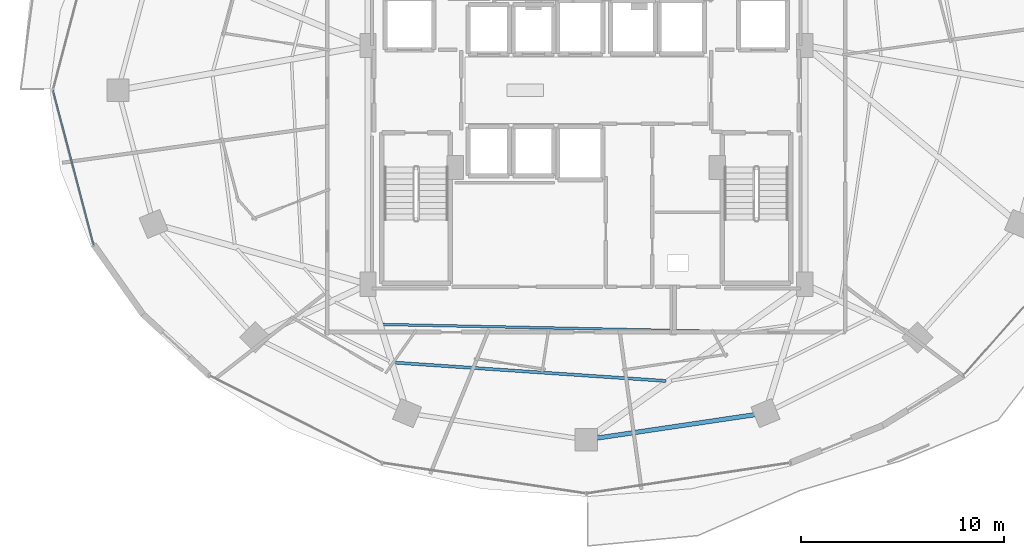
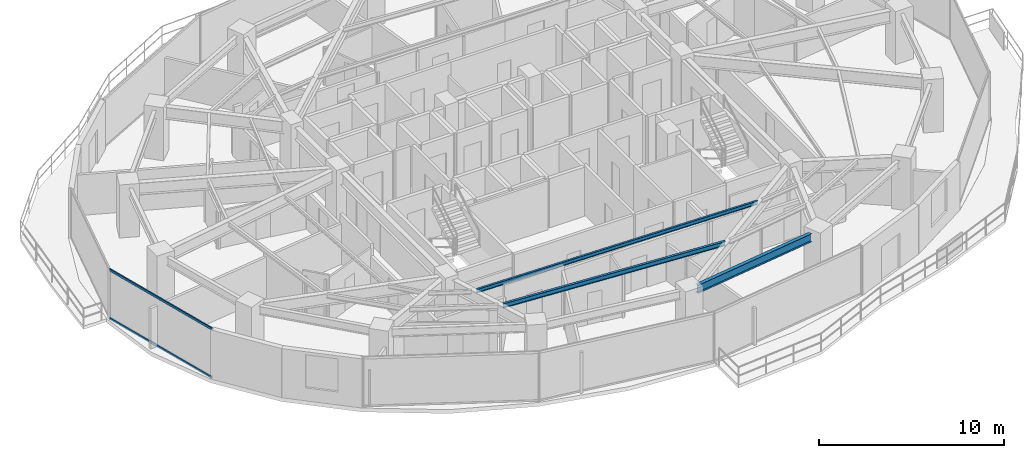
# One storey, part 5 of 30: 3 beams, 2 members, 1 element without a shape of its own.
"""IFC4 building model written with IfcOpenShell, lengths in metres."""

import ifcopenshell
import ifcopenshell.guid

model = None  # the IFC model being written
_history = None  # IfcOwnerHistory: only IFC2X3 demands one
_inside = {}  # id of a spatial element -> (the spatial element, [elements in it])
_under = {}  # id of a project, library or spatial element -> (it, [spatial elements below it])
_declared = {}  # id of a project -> (the project, [libraries it declares])
_typed = {}  # id of a type object -> (the type object, [elements of that type])
_made_of = {}  # id of a material, layer set ... -> (it, [elements and type objects made of it])


def new_model(schema):
    """Start an empty IFC model of exactly this schema.

    Asked for "IFC4X3", IfcOpenShell would pick the latest addendum, in which some entities
    have other attributes; the version numbers below select the first issue.
    IFC2X3 requires an IfcOwnerHistory on every rooted entity: one is made here for all.
    """
    global model, _history
    if schema == "IFC4X3":
        model = ifcopenshell.file(schema_version=(4, 3, 0, 0))
    else:
        model = ifcopenshell.file(schema=schema)
    _inside.clear()
    _under.clear()
    _declared.clear()
    _typed.clear()
    _made_of.clear()
    _history = None
    if model.schema == "IFC2X3":
        org = make("IfcOrganization", Name="unknown")
        user = make(
            "IfcPersonAndOrganization",
            ThePerson=make("IfcPerson", FamilyName="unknown"),
            TheOrganization=org,
        )
        app = make(
            "IfcApplication",
            ApplicationDeveloper=org,
            Version="unknown",
            ApplicationFullName="unknown",
            ApplicationIdentifier="unknown",
        )
        _history = make(
            "IfcOwnerHistory",
            OwningUser=user,
            OwningApplication=app,
            ChangeAction="ADDED",
            CreationDate=0,
        )
    return model


def make(cls, **values):
    """One entity of the class cls with the attributes given. An attribute that is None is left unset."""
    return model.create_entity(
        cls, **{name: value for name, value in values.items() if value is not None}
    )


def rooted(cls, **values):
    """An entity with a GlobalId (a new one), such as an element, a storey or a relation."""
    return make(cls, GlobalId=ifcopenshell.guid.new(), OwnerHistory=_history, **values)


def si_unit(unit_type, name, prefix=None):
    """IfcSIUnit, for example si_unit("LENGTHUNIT", "METRE", prefix="MILLI")."""
    return make("IfcSIUnit", UnitType=unit_type, Prefix=prefix, Name=name)


def assignment(units):
    """IfcUnitAssignment: the units of a project."""
    return None if units is None else make("IfcUnitAssignment", Units=units)


def point(xyz):
    """IfcCartesianPoint."""
    return None if xyz is None else make("IfcCartesianPoint", Coordinates=xyz)


def direction(xyz):
    """IfcDirection."""
    return None if xyz is None else make("IfcDirection", DirectionRatios=xyz)


def frame(location, z_axis=None, x_axis=None):
    """IfcAxis2Placement3D, a coordinate frame: its origin and axes. An axis left out is left unset."""
    return make(
        "IfcAxis2Placement3D",
        Location=point(location),
        Axis=direction(z_axis),
        RefDirection=direction(x_axis),
    )


def frame_2d(location, x_axis=None):
    """IfcAxis2Placement2D, a coordinate frame in the plane: its origin and x axis."""
    return make(
        "IfcAxis2Placement2D", Location=point(location), RefDirection=direction(x_axis)
    )


def origin():
    """The frame at (0, 0, 0) with its axes left unset."""
    return frame((0.0, 0.0, 0.0))


def origin_2d():
    """The frame at (0, 0) in the plane with its x axis left unset."""
    return frame_2d((0.0, 0.0))


def place(relative_to, where):
    """IfcLocalPlacement: puts the frame where relative to a parent placement (None: the world)."""
    return make(
        "IfcLocalPlacement", PlacementRelTo=relative_to, RelativePlacement=where
    )


def context(
    kind, dimensions, precision=None, world=None, true_north=None, identifier=None
):
    """IfcGeometricRepresentationContext, for example the 3D "Model" context."""
    return make(
        "IfcGeometricRepresentationContext",
        ContextIdentifier=identifier,
        ContextType=kind,
        CoordinateSpaceDimension=dimensions,
        Precision=precision,
        WorldCoordinateSystem=world,
        TrueNorth=true_north,
    )


def subcontext(parent, identifier, kind, view, scale=None):
    """IfcGeometricRepresentationSubContext, for example "Body" below "Model"."""
    return make(
        "IfcGeometricRepresentationSubContext",
        ContextIdentifier=identifier,
        ContextType=kind,
        ParentContext=parent,
        TargetScale=scale,
        TargetView=view,
    )


def project(units=None, contexts=None):
    """IfcProject with its units and contexts."""
    return rooted(
        "IfcProject",
        Name="project",
        RepresentationContexts=contexts,
        UnitsInContext=assignment(units),
    )


def spatial(cls, under=None, at=None, **own):
    """A site, building, storey or space (cls), placed at a placement, below another one or the project."""
    s = rooted(cls, ObjectPlacement=at, **own)
    if under is not None:
        _under.setdefault(under.id(), (under, []))[1].append(s)
    return s


def profile(cls, at=None, kind="AREA", **sizes):
    """A parametric profile (cls). Its sizes go by their IFC names, for example OverallWidth=200.0."""
    return make(cls, ProfileType=kind, Position=at, **sizes)


def hollow_rectangle(**sizes):
    """IfcRectangleHollowProfileDef."""
    return profile("IfcRectangleHollowProfileDef", **sizes)


def i_section(**sizes):
    """IfcIShapeProfileDef."""
    return profile("IfcIShapeProfileDef", **sizes)


def extrude(swept, where, along, depth):
    """IfcExtrudedAreaSolid: the profile swept, set in the frame where, extruded along a direction by depth."""
    return make(
        "IfcExtrudedAreaSolid",
        SweptArea=swept,
        Position=where,
        ExtrudedDirection=direction(along),
        Depth=depth,
    )


def shape(context_of_items, identifier, shape_type, items):
    """IfcShapeRepresentation: the items that make up one representation, for example the "Body"."""
    return make(
        "IfcShapeRepresentation",
        ContextOfItems=context_of_items,
        RepresentationIdentifier=identifier,
        RepresentationType=shape_type,
        Items=items,
    )


def material(Name=None, Category=None):
    """IfcMaterial."""
    return make("IfcMaterial", Name=Name, Category=Category)


def material_profile(
    of_material, cross_section, Name=None, Category=None, Priority=None
):
    """IfcMaterialProfile: a cross section and its material."""
    return make(
        "IfcMaterialProfile",
        Name=Name,
        Material=of_material,
        Profile=cross_section,
        Priority=Priority,
        Category=Category,
    )


def profile_set(profiles, Name=None, composite=None):
    """IfcMaterialProfileSet."""
    return make(
        "IfcMaterialProfileSet",
        Name=Name,
        MaterialProfiles=profiles,
        CompositeProfile=composite,
    )


def made_of(thing, what):
    """Note that an element or type object is made of a material, layer set ...; save() writes the relation."""
    if what is not None:
        _made_of.setdefault(what.id(), (what, []))[1].append(thing)
    return thing


def type_object(cls, material=None, **own):
    """A type object (cls), such as IfcWallType, which elements share."""
    return made_of(rooted(cls, **own), material)


def element(
    cls,
    number,
    at=None,
    inside=None,
    cuts=None,
    type_object=None,
    material=None,
    context=None,
    identifier="Body",
    shape_type=None,
    held_by="IfcProductDefinitionShape",
    body=None,
    shapes=None,
    **own,
):
    """One element of the class cls, such as IfcWall. Its Tag is "e" and its number.

    at: its placement. inside: the storey or other place that contains it. cuts: it is an
    opening in that element (IfcRelVoidsElement). A single representation is given by context,
    identifier, shape_type and body (its items); several are given by shapes. held_by: the class
    of the entity that holds the representations. save() writes the other relations.
    """
    e = rooted(cls, Tag="e%d" % number, ObjectPlacement=at, **own)
    if body is not None:
        shapes = [shape(context, identifier, shape_type, body)]
    if shapes is not None:
        e.Representation = make(held_by, Representations=shapes)
    if inside is not None:
        _inside.setdefault(inside.id(), (inside, []))[1].append(e)
    if cuts is not None:
        rooted(
            "IfcRelVoidsElement", RelatingBuildingElement=cuts, RelatedOpeningElement=e
        )
    if type_object is not None:
        _typed.setdefault(type_object.id(), (type_object, []))[1].append(e)
    return made_of(e, material)


def aggregate(whole, parts):
    """IfcRelAggregates: a whole, such as a stair, and the parts it consists of."""
    return rooted("IfcRelAggregates", RelatingObject=whole, RelatedObjects=parts)


def save(model, path):
    """Write the relations noted so far, then the file.

    IfcRelAggregates (storeys below a building ...), IfcRelContainedInSpatialStructure (elements
    in a storey), IfcRelDefinesByType, IfcRelAssociatesMaterial and IfcRelDeclares: one each for
    every whole, place, type object, material and project.
    """
    for whole, parts in _under.values():
        aggregate(whole, parts)
    for where, things in _inside.values():
        rooted(
            "IfcRelContainedInSpatialStructure",
            RelatedElements=things,
            RelatingStructure=where,
        )
    for kind, things in _typed.values():
        rooted("IfcRelDefinesByType", RelatedObjects=things, RelatingType=kind)
    for what, things in _made_of.values():
        rooted("IfcRelAssociatesMaterial", RelatedObjects=things, RelatingMaterial=what)
    for by, libraries in _declared.values():
        rooted("IfcRelDeclares", RelatingContext=by, RelatedDefinitions=libraries)
    model.write(path)


model = new_model("IFC4")

# Units and contexts
model_context = context("Model", 3, precision=1e-05, world=origin(), true_north=direction((0.0, 1.0)))
body_context = subcontext(model_context, "Body", "Model", "MODEL_VIEW")
ifc_project = project(units=[si_unit("LENGTHUNIT", "METRE"), si_unit("AREAUNIT", "SQUARE_METRE"), si_unit("VOLUMEUNIT", "CUBIC_METRE"), si_unit("PLANEANGLEUNIT", "RADIAN"), si_unit("MASSUNIT", "GRAM", prefix="KILO")], contexts=[model_context])

# Site, building, storey
site_placement = place(None, origin())
site = spatial("IfcSite", under=ifc_project, at=site_placement, CompositionType="ELEMENT")
building_placement = place(site_placement, origin())
building = spatial("IfcBuilding", under=site, at=building_placement, Name="Vorneva Point Tower", CompositionType="ELEMENT")
storey_placement = place(building_placement, frame((0.0, 0.0, 96.300048828125)))
storey = spatial("IfcBuildingStorey", under=building, at=storey_placement, Name="L25", CompositionType="ELEMENT", Elevation=96.300048828125)

# Beams
ifc_material_1 = material(Name="Steel S355", Category="steel")
ifc_material_profile_1 = material_profile(ifc_material_1, i_section(OverallWidth=0.1240234375, OverallDepth=0.248046875, WebThickness=0.0048828125, FlangeThickness=0.008056640625, at=origin_2d()), Name="25B1")
ifc_profile_set_1 = profile_set([ifc_material_profile_1], Name="Steel S355")
beam_type_1 = type_object("IfcBeamType", Name="BM-JST-25B1", PredefinedType="JOIST", material=ifc_profile_set_1)
beam_1_placement = place(storey_placement, frame((27.989013671875, 14.4716796875, 3.115966796875), z_axis=(0.99978665184, -0.020655527177, 0.0), x_axis=(0.020655527177, 0.99978665184, 0.0)))
element("IfcBeam", 1, at=beam_1_placement, inside=storey, type_object=beam_type_1, Name="L25 Secondary Floor Beam 2.12", PredefinedType="JOIST", context=body_context, shape_type="SweptSolid", body=[
    extrude(i_section(OverallWidth=0.1240234375, OverallDepth=0.248046875, WebThickness=0.0048828125, FlangeThickness=0.008056640625, at=origin_2d()), origin(), (0.0, 0.0, 1.0), 17.33935546875),
])
ifc_material_profile_2 = material_profile(ifc_material_1, i_section(OverallWidth=0.14892578125, OverallDepth=0.298095703125, WebThickness=0.005615234375, FlangeThickness=0.008056640625, at=origin_2d()), Name="30B1")
ifc_profile_set_2 = profile_set([ifc_material_profile_2], Name="Steel S355")
beam_type_2 = type_object("IfcBeamType", Name="BM-JST-30B1", PredefinedType="JOIST", material=ifc_profile_set_2)
beam_2_placement = place(storey_placement, frame((28.5576171875, 12.594970703125, 3.091064453125), z_axis=(0.997721682044, -0.067464399347, 0.0), x_axis=(0.067464399347, 0.997721682044, 0.0)))
element("IfcBeam", 2, at=beam_2_placement, inside=storey, type_object=beam_type_2, Name="L25 Secondary Floor Beam 1.12", PredefinedType="JOIST", context=body_context, shape_type="SweptSolid", body=[
    extrude(i_section(OverallWidth=0.14892578125, OverallDepth=0.298095703125, WebThickness=0.005615234375, FlangeThickness=0.008056640625, at=origin_2d()), origin(), (0.0, 0.0, 1.0), 13.385986328125),
])
ifc_material_profile_3 = material_profile(ifc_material_1, i_section(OverallWidth=0.219970703125, OverallDepth=0.54296875, WebThickness=0.009521484375, FlangeThickness=0.013427734375, at=origin_2d()), Name="55B1")
ifc_profile_set_3 = profile_set([ifc_material_profile_3], Name="Steel S355")
beam_type_3 = type_object("IfcBeamType", Name="BM-SPN-55B1", PredefinedType="SPANDREL", material=ifc_profile_set_3)
beam_3_placement = place(storey_placement, frame((38.529296875, 8.878662109375, 2.968505859375), z_axis=(0.989164507783, 0.146811363806, 0.0), x_axis=(-0.146811363806, 0.989164507783, 0.0)))
element("IfcBeam", 3, at=beam_3_placement, inside=storey, type_object=beam_type_3, Name="L25 Perimeter Spandrel Ring Beam 13", PredefinedType="SPANDREL", context=body_context, shape_type="SweptSolid", body=[
    extrude(i_section(OverallWidth=0.219970703125, OverallDepth=0.54296875, WebThickness=0.009521484375, FlangeThickness=0.013427734375, at=origin_2d()), origin(), (0.0, 0.0, 1.0), 7.847412109375),
])

# Curtain wall, members
ifc_material_2 = material(Name="Pale anodised aluminium", Category="aluminium")
curtain_wall_type = type_object("IfcCurtainWallType", Name="CW-HTL-SYS", PredefinedType="NOTDEFINED", material=ifc_material_2)
curtain_wall_placement = place(storey_placement, origin())
curtain_wall = element("IfcCurtainWall", 4, at=curtain_wall_placement, inside=storey, type_object=curtain_wall_type, Name="L25 Unitised Curtain Wall CW-L25-R03", PredefinedType="NOTDEFINED")
ifc_material_profile_4 = material_profile(ifc_material_2, hollow_rectangle(XDim=0.074951171875, YDim=0.14990234375, WallThickness=0.00390625, at=origin_2d()), Name="AL-TRN 150x75x4")
ifc_profile_set_4 = profile_set([ifc_material_profile_4], Name="Pale anodised aluminium")
member_type = type_object("IfcMemberType", Name="CW-TRN-150", PredefinedType="USERDEFINED", material=ifc_profile_set_4)
member_1_placement = place(storey_placement, frame((11.75, 26.0, 0.02001953125), z_axis=(0.254409150465, -0.967096677773, 0.0), x_axis=(0.967096677773, 0.254409150465, 0.0)))
member_1 = element("IfcMember", 5, at=member_1_placement, type_object=member_type, Name="CW-L25-R03 Transom 02.1", ObjectType="TRANSOM", PredefinedType="USERDEFINED", context=body_context, shape_type="SweptSolid", body=[
    extrude(hollow_rectangle(XDim=0.074951171875, YDim=0.14990234375, WallThickness=0.00390625, at=origin_2d()), origin(), (0.0, 0.0, 1.0), 7.854736328125),
])
member_2_placement = place(storey_placement, frame((11.75, 26.0, 3.219970703125), z_axis=(0.254409150465, -0.967096677773, 0.0), x_axis=(0.967096677773, 0.254409150465, 0.0)))
member_2 = element("IfcMember", 6, at=member_2_placement, type_object=member_type, Name="CW-L25-R03 Transom 02.2", ObjectType="TRANSOM", PredefinedType="USERDEFINED", context=body_context, shape_type="SweptSolid", body=[
    extrude(hollow_rectangle(XDim=0.074951171875, YDim=0.14990234375, WallThickness=0.00390625, at=origin_2d()), origin(), (0.0, 0.0, 1.0), 7.854736328125),
])
aggregate(curtain_wall, [member_1, member_2])

save(model, "model.ifc")
